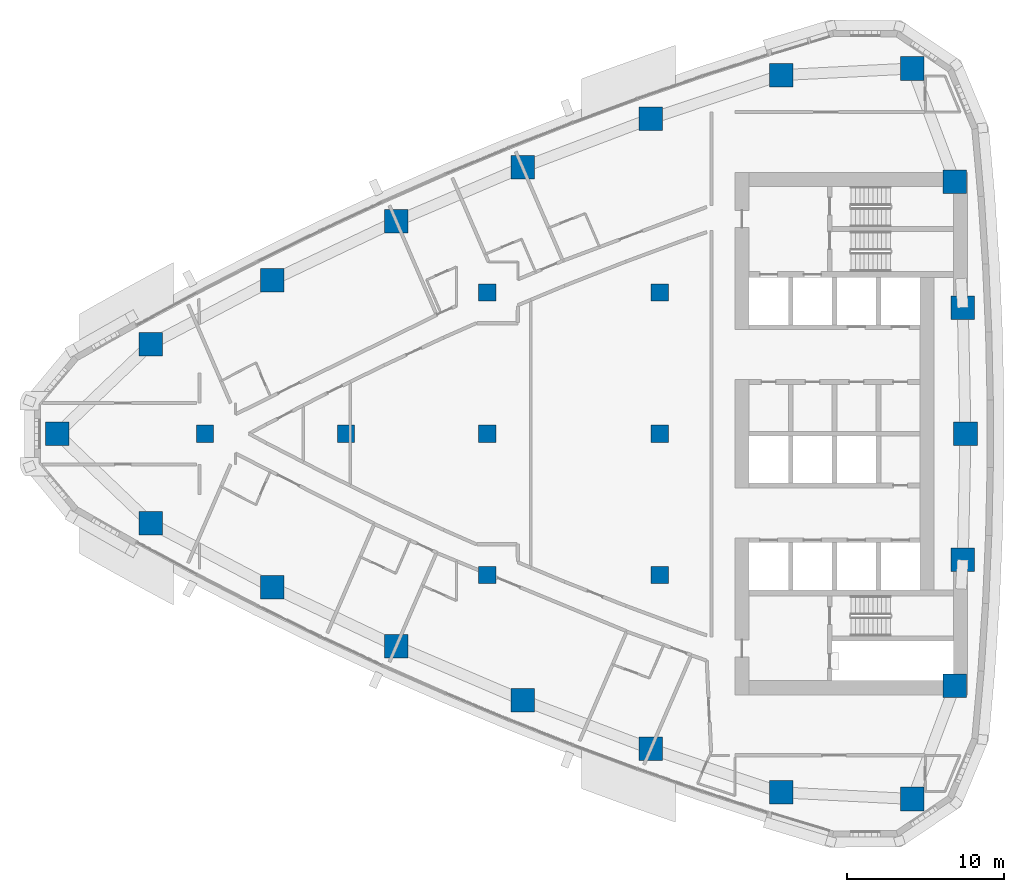
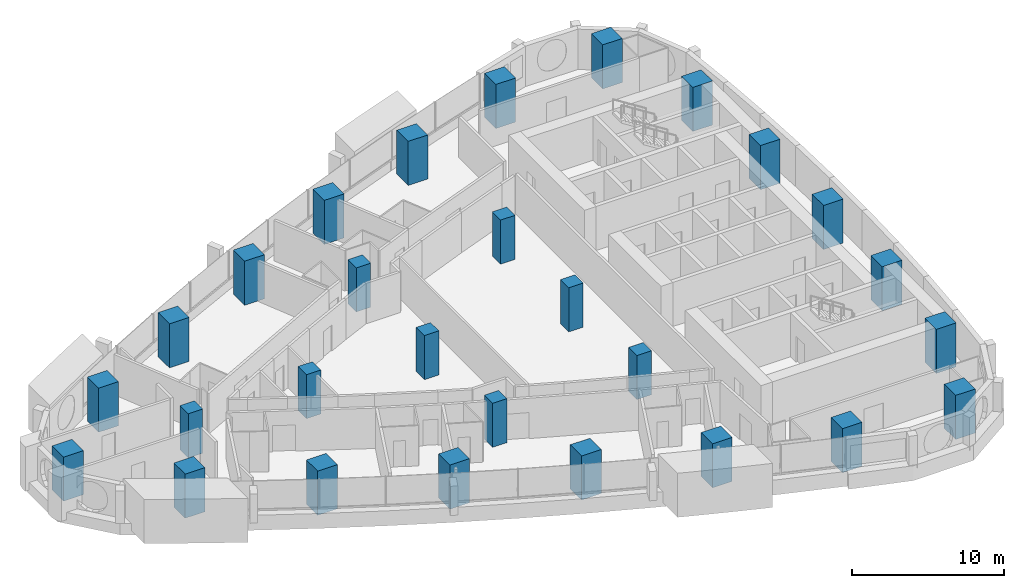
# One storey, part 1 of 17: 28 columns.
"""IFC4 building model written with IfcOpenShell, lengths in metres."""

from ifc_helpers import new_model, si_unit, direction, frame, origin, origin_2d, place, context, subcontext, project, spatial, rectangle, extrude, material, material_profile, profile_set, type_object, element, save


model = new_model("IFC4")

# Units and contexts
model_context = context("Model", 3, precision=1e-05, world=origin(), true_north=direction((0.0, 1.0)))
body_context = subcontext(model_context, "Body", "Model", "MODEL_VIEW")
ifc_project = project(units=[si_unit("LENGTHUNIT", "METRE"), si_unit("AREAUNIT", "SQUARE_METRE"), si_unit("VOLUMEUNIT", "CUBIC_METRE"), si_unit("PLANEANGLEUNIT", "RADIAN"), si_unit("MASSUNIT", "GRAM", prefix="KILO")], contexts=[model_context])

# Site, building, storey
site_placement = place(None, origin())
site = spatial("IfcSite", under=ifc_project, at=site_placement, CompositionType="ELEMENT")
building_placement = place(site_placement, origin())
building = spatial("IfcBuilding", under=site, at=building_placement, Name="Ostrand Prow Hotel Tower", CompositionType="ELEMENT")
storey_placement = place(building_placement, frame((0.0, 0.0, 133.75)))
storey = spatial("IfcBuildingStorey", under=building, at=storey_placement, Name="L32", CompositionType="ELEMENT", Elevation=133.75)

# Columns
ifc_material_1 = material(Name="Concrete C70/85", Category="concrete")
ifc_material_profile_1 = material_profile(ifc_material_1, rectangle(XDim=1.10009765625, YDim=1.10009765625, at=origin_2d()), Name="RC 1100x1100")
ifc_profile_set_1 = profile_set([ifc_material_profile_1], Name="Concrete C70/85")
column_type_1 = type_object("IfcColumnType", Name="Interior column 1100x1100 C70/85", PredefinedType="COLUMN", material=ifc_profile_set_1)
for number, where, z_axis, x_axis, name in (
    (1, (16.0, 0.0, 0.0), (0.0, 0.0, 1.0), (1.0, 0.0, 0.0), "Interior column 16C0"),
    (2, (25.0, 0.0, 0.0), (0.0, 0.0, 1.0), (1.0, 0.0, 0.0), "Interior column 25C0"),
    (3, (34.0, -9.0, 0.0), (0.0, 0.0, 1.0), (1.0, 0.0, 0.0), "Interior column 34S9"),
    (4, (34.0, 0.0, 0.0), (0.0, 0.0, 1.0), (1.0, 0.0, 0.0), "Interior column 34C0"),
    (5, (34.0, 9.0, 0.0), (0.0, 0.0, 1.0), (1.0, 0.0, 0.0), "Interior column 34N9"),
    (6, (45.0, -9.0, 0.0), (0.0, 0.0, 1.0), (1.0, 0.0, 0.0), "Interior column 45S9"),
    (7, (45.0, 0.0, 0.0), (0.0, 0.0, 1.0), (1.0, 0.0, 0.0), "Interior column 45C0"),
    (8, (45.0, 9.0, 0.0), (0.0, 0.0, 1.0), (1.0, 0.0, 0.0), "Interior column 45N9"),
):
    element("IfcColumn", number, at=place(storey_placement, frame(where, z_axis=z_axis, x_axis=x_axis)), inside=storey, type_object=column_type_1, Name=name, PredefinedType="COLUMN", context=body_context, shape_type="SweptSolid", body=[
        extrude(rectangle(XDim=1.10009765625, YDim=1.10009765625, at=origin_2d()), origin(), (0.0, 0.0, 1.0), 3.550048828125),
    ])
ifc_material_2 = material(Name="Concrete C70/85", Category="concrete")
ifc_material_profile_2 = material_profile(ifc_material_2, rectangle(XDim=1.5, YDim=1.5, at=origin_2d()), Name="RC 1500x1500")
ifc_profile_set_2 = profile_set([ifc_material_profile_2], Name="Concrete C70/85")
column_type_2 = type_object("IfcColumnType", Name="Stone-faced mega column 1500x1500 C70/85", PredefinedType="COLUMN", material=ifc_profile_set_2)
for number, where, z_axis, x_axis, name in (
    (9, (6.580078125, 0.0, 0.0), (0.0, 0.0, 1.0), (1.0, 0.0, 0.0), "Mega column P"),
    (10, (12.55322265625, -5.712646484375, 0.0), (0.0, 0.0, 1.0), (1.0, 0.0, 0.0), "Mega column S1"),
    (11, (20.300048828125, -9.787841796875, 0.0), (0.0, 0.0, 1.0), (1.0, 0.0, 0.0), "Mega column S2"),
    (12, (28.205078125, -13.547119140625, 0.0), (0.0, 0.0, 1.0), (1.0, 0.0, 0.0), "Mega column S3"),
    (13, (36.255615234375, -16.98388671875, 0.0), (0.0, 0.0, 1.0), (1.0, 0.0, 0.0), "Mega column S4"),
    (14, (44.438232421875, -20.093017578125, 0.0), (0.0, 0.0, 1.0), (1.0, 0.0, 0.0), "Mega column S5"),
    (15, (52.73974609375, -22.869140625, 0.0), (0.0, 0.0, 1.0), (1.0, 0.0, 0.0), "Mega column S6"),
    (16, (61.117431640625, -23.29052734375, 0.0), (0.0, 0.0, 1.0), (1.0, 0.0, 0.0), "Mega column SE"),
    (17, (63.818603515625, -16.074951171875, 0.0), (0.0, 0.0, 1.0), (1.0, 0.0, 0.0), "Mega column B1"),
    (18, (64.32958984375, -8.044677734375, 0.0), (0.0, 0.0, 1.0), (1.0, 0.0, 0.0), "Mega column B2"),
    (19, (64.5, 0.0, 0.0), (0.0, 0.0, 1.0), (1.0, 0.0, 0.0), "Mega column B3"),
    (20, (64.32958984375, 8.044677734375, 0.0), (0.0, 0.0, 1.0), (1.0, 0.0, 0.0), "Mega column B4"),
    (21, (63.818603515625, 16.074951171875, 0.0), (0.0, 0.0, 1.0), (1.0, 0.0, 0.0), "Mega column B5"),
    (22, (61.117431640625, 23.29052734375, 0.0), (0.0, 0.0, 1.0), (1.0, 0.0, 0.0), "Mega column NE"),
    (23, (52.73974609375, 22.869140625, 0.0), (0.0, 0.0, 1.0), (1.0, 0.0, 0.0), "Mega column N1"),
    (24, (44.438232421875, 20.093017578125, 0.0), (0.0, 0.0, 1.0), (1.0, 0.0, 0.0), "Mega column N2"),
    (25, (36.255615234375, 16.98388671875, 0.0), (0.0, 0.0, 1.0), (1.0, 0.0, 0.0), "Mega column N3"),
    (26, (28.205078125, 13.547119140625, 0.0), (0.0, 0.0, 1.0), (1.0, 0.0, 0.0), "Mega column N4"),
    (27, (20.300048828125, 9.787841796875, 0.0), (0.0, 0.0, 1.0), (1.0, 0.0, 0.0), "Mega column N5"),
    (28, (12.55322265625, 5.712646484375, 0.0), (0.0, 0.0, 1.0), (1.0, 0.0, 0.0), "Mega column N6"),
):
    element("IfcColumn", number, at=place(storey_placement, frame(where, z_axis=z_axis, x_axis=x_axis)), inside=storey, type_object=column_type_2, Name=name, PredefinedType="COLUMN", context=body_context, shape_type="SweptSolid", body=[
        extrude(rectangle(XDim=1.5, YDim=1.5, at=origin_2d()), origin(), (0.0, 0.0, 1.0), 3.550048828125),
    ])

save(model, "model.ifc")
